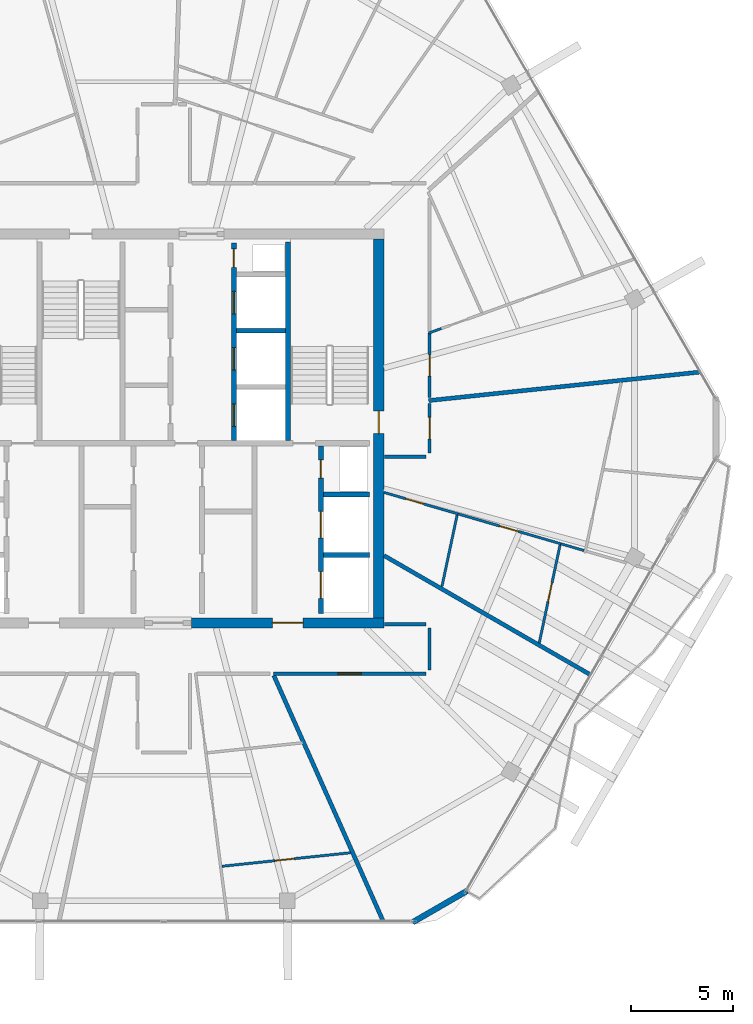
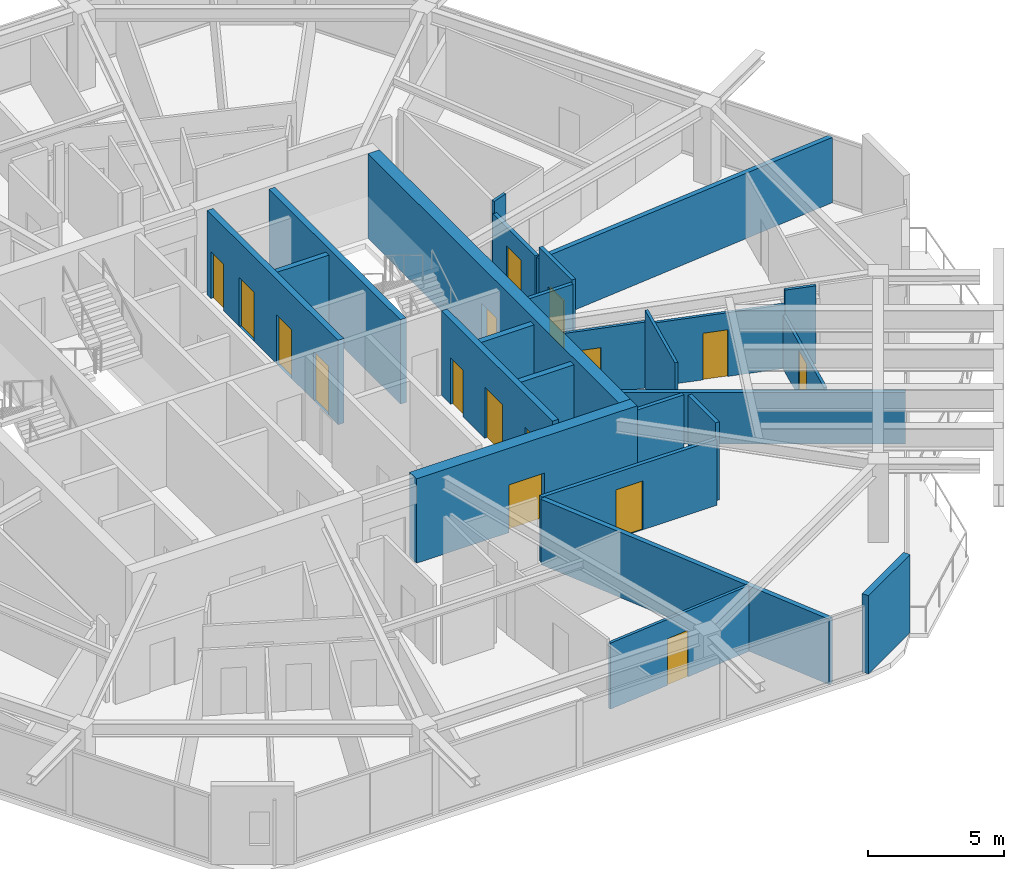
# One storey, part 17 of 23: 25 walls, 16 doors, 16 openings.
"""IFC4 building model written with IfcOpenShell, lengths in metres."""

from ifc_helpers import new_model, si_unit, direction, frame, frame_2d, origin, place, context, subcontext, project, spatial, rectangle, extrude, material, layer, layer_set, type_object, element, fill, save


model = new_model("IFC4")

# Units and contexts
model_context = context("Model", 3, precision=1e-05, world=origin(), true_north=direction((0.0, 1.0)))
body_context = subcontext(model_context, "Body", "Model", "MODEL_VIEW")
ifc_project = project(units=[si_unit("LENGTHUNIT", "METRE"), si_unit("AREAUNIT", "SQUARE_METRE"), si_unit("VOLUMEUNIT", "CUBIC_METRE"), si_unit("PLANEANGLEUNIT", "RADIAN"), si_unit("MASSUNIT", "GRAM", prefix="KILO")], contexts=[model_context])

# Site, building, storey
site_placement = place(None, origin())
site = spatial("IfcSite", under=ifc_project, at=site_placement, CompositionType="ELEMENT")
building_placement = place(site_placement, origin())
building = spatial("IfcBuilding", under=site, at=building_placement, Name="Zuhravey Tower", CompositionType="ELEMENT")
storey_placement = place(building_placement, frame((0.0, 0.0, 350.0)))
storey = spatial("IfcBuildingStorey", under=building, at=storey_placement, Name="L89", CompositionType="ELEMENT", Elevation=350.0)

# Wall, opening, door
ifc_material_1 = material(Name="Concrete C50/60", Category="concrete")
ifc_layer_1 = layer(ifc_material_1, 0.5)
ifc_layer_set_1 = layer_set([ifc_layer_1], Name="Concrete C50/60")
wall_type_1 = type_object("IfcWallType", Name="Core Shear Wall 500", PredefinedType="SHEAR", material=ifc_layer_set_1)
wall_1_placement = place(storey_placement, frame((37.35009765625, 22.5, 0.0), z_axis=(0.0, 0.0, 1.0), x_axis=(1.0, 0.0, 0.0)))
wall_1 = element("IfcWall", 1, at=wall_1_placement, inside=storey, type_object=wall_type_1, Name="L89 South-East Core Shear Wall CW50", PredefinedType="SHEAR", context=body_context, shape_type="SweptSolid", body=[
    extrude(rectangle(XDim=9.39990234375, YDim=0.5, at=frame_2d((4.699951171875, 0.0))), origin(), (0.0, 0.0, 1.0), 3.800048828125),
])
opening_1_placement = place(wall_1_placement, frame((3.949951171875, 0.0, 0.0)))
opening_1 = element("IfcOpeningElement", 2, at=opening_1_placement, cuts=wall_1, Name="Opening FFD1", PredefinedType="OPENING", context=body_context, shape_type="SweptSolid", body=[
    extrude(rectangle(XDim=1.5, YDim=2.14990234375, at=frame_2d((0.75, 1.074951171875))), frame((0.0, 0.261962890625, 0.0), z_axis=(0.0, -1.0, 0.0), x_axis=(1.0, 0.0, 0.0)), (0.0, 0.0, 1.0), 0.52392578125),
])
ifc_material_2 = material(Name="Galvanised fire-rated steel leaf", Category="steel")
door_type_1 = type_object("IfcDoorType", Name="Firefighting Lobby Double Door 1500x2150", OperationType="DOUBLE_DOOR_SINGLE_SWING", PredefinedType="DOOR", material=ifc_material_2)
door_1_placement = place(opening_1_placement, origin())
door_1 = element("IfcDoor", 3, at=door_1_placement, inside=storey, type_object=door_type_1, Name="L89 Firefighting Lobby East Door", OperationType="DOUBLE_DOOR_SINGLE_SWING", OverallHeight=2.14990234375, OverallWidth=1.5, PredefinedType="DOOR", context=body_context, shape_type="SweptSolid", body=[
    extrude(rectangle(XDim=1.5, YDim=2.14990234375, at=frame_2d((0.75, 1.074951171875))), frame((0.0, 0.02490234375, 0.0), z_axis=(0.0, -1.0, 0.0), x_axis=(1.0, 0.0, 0.0)), (0.0, 0.0, 1.0), 0.050048828125),
])
fill(opening_1, door_1)

wall_2_placement = place(storey_placement, frame((46.5, 22.75, 0.0), z_axis=(0.0, 0.0, 1.0), x_axis=(0.0, 1.0, 0.0)))
wall_2 = element("IfcWall", 4, at=wall_2_placement, inside=storey, type_object=wall_type_1, Name="L89 East Core Shear Wall CW50", PredefinedType="SHEAR", context=body_context, shape_type="SweptSolid", body=[
    extrude(rectangle(XDim=18.5, YDim=0.5, at=frame_2d((9.25, 0.0))), origin(), (0.0, 0.0, 1.0), 3.800048828125),
])
opening_2_placement = place(wall_2_placement, frame((9.0, 0.0, 0.0)))
opening_2 = element("IfcOpeningElement", 5, at=opening_2_placement, cuts=wall_2, Name="Opening STD1", PredefinedType="OPENING", context=body_context, shape_type="SweptSolid", body=[
    extrude(rectangle(XDim=1.10009765625, YDim=2.14990234375, at=frame_2d((0.550048828125, 1.074951171875))), frame((0.0, 0.261962890625, 0.0), z_axis=(0.0, -1.0, 0.0), x_axis=(1.0, 0.0, 0.0)), (0.0, 0.0, 1.0), 0.52392578125),
])
door_type_2 = type_object("IfcDoorType", Name="Protected Stair Fire Door 1100x2150", OperationType="NOTDEFINED", PredefinedType="USERDEFINED", material=ifc_material_2)
door_2_placement = place(opening_2_placement, origin())
door_2 = element("IfcDoor", 6, at=door_2_placement, inside=storey, type_object=door_type_2, Name="L89 Stair ST2 Door", ObjectType="EXITDOOR", OperationType="SINGLE_SWING_LEFT", OverallHeight=2.14990234375, OverallWidth=1.10009765625, PredefinedType="USERDEFINED", context=body_context, shape_type="SweptSolid", body=[
    extrude(rectangle(XDim=1.10009765625, YDim=2.14990234375, at=frame_2d((0.550048828125, 1.074951171875))), frame((0.0, 0.02490234375, 0.0), z_axis=(0.0, -1.0, 0.0), x_axis=(1.0, 0.0, 0.0)), (0.0, 0.0, 1.0), 0.050048828125),
])
fill(opening_2, door_2)

ifc_material_3 = material(Name="Gypsum fire-rated stud partition")
ifc_layer_2 = layer(ifc_material_3, 0.159912109375)
ifc_layer_set_2 = layer_set([ifc_layer_2], Name="Gypsum fire-rated stud partition")
wall_type_2 = type_object("IfcWallType", Name="Corridor Fire Partition 160", PredefinedType="PARTITIONING", material=ifc_layer_set_2)
wall_3_placement = place(storey_placement, frame((41.355712890625, 20.02001953125, 0.0), z_axis=(0.0, 0.0, 1.0), x_axis=(1.0, 0.0, 0.0)))
wall_3 = element("IfcWall", 7, at=wall_3_placement, inside=storey, type_object=wall_type_2, Name="L89 IW16 Partition 041", PredefinedType="PARTITIONING", context=body_context, shape_type="SweptSolid", body=[
    extrude(rectangle(XDim=7.4443359375, YDim=0.159912109375, at=frame_2d((3.72216796875, 0.0))), origin(), (0.0, 0.0, 1.0), 2.969970703125),
])
opening_3_placement = place(wall_3_placement, frame((3.147216796875, 0.0, 0.0)))
opening_3 = element("IfcOpeningElement", 8, at=opening_3_placement, cuts=wall_3, Name="Opening CLD1", PredefinedType="OPENING", context=body_context, shape_type="SweptSolid", body=[
    extrude(rectangle(XDim=1.14990234375, YDim=2.199951171875, at=frame_2d((0.574951171875, 1.10009765625))), frame((0.0, 0.092041015625, 0.0), z_axis=(0.0, -1.0, 0.0), x_axis=(1.0, 0.0, 0.0)), (0.0, 0.0, 1.0), 0.183837890625),
])
ifc_material_4 = material(Name="Acoustic timber leaf with vision lite", Category="wood")
door_type_3 = type_object("IfcDoorType", Name="Classroom Acoustic Door 1150x2200", OperationType="NOTDEFINED", PredefinedType="DOOR", material=ifc_material_4)
door_3_placement = place(opening_3_placement, frame((1.14990234375, 0.0, 0.0), z_axis=(0.0, 0.0, 1.0), x_axis=(-1.0, 0.0, 0.0)))
door_3 = element("IfcDoor", 9, at=door_3_placement, inside=storey, type_object=door_type_3, Name="L89 Door 041.1", OperationType="SINGLE_SWING_LEFT", OverallHeight=2.199951171875, OverallWidth=1.14990234375, PredefinedType="DOOR", context=body_context, shape_type="SweptSolid", body=[
    extrude(rectangle(XDim=1.14990234375, YDim=2.199951171875, at=frame_2d((0.574951171875, 1.10009765625))), frame((0.0, 0.02490234375, 0.0), z_axis=(0.0, -1.0, 0.0), x_axis=(1.0, 0.0, 0.0)), (0.0, 0.0, 1.0), 0.050048828125),
])
fill(opening_3, door_3)

wall_4_placement = place(storey_placement, frame((48.97998046875, 30.800048828125, 0.0), z_axis=(0.0, 0.0, 1.0), x_axis=(0.0, 1.0, 0.0)))
wall_4 = element("IfcWall", 10, at=wall_4_placement, inside=storey, type_object=wall_type_2, Name="L89 IW16 Partition 046", PredefinedType="PARTITIONING", context=body_context, shape_type="SweptSolid", body=[
    extrude(rectangle(XDim=2.4296875, YDim=0.159912109375, at=frame_2d((1.21484375, 0.0))), origin(), (0.0, 0.0, 1.0), 3.52001953125),
])
opening_4_placement = place(wall_4_placement, frame((0.68994140625, 0.0, 0.0)))
opening_4 = element("IfcOpeningElement", 11, at=opening_4_placement, cuts=wall_4, Name="Opening APD1", PredefinedType="OPENING", context=body_context, shape_type="SweptSolid", body=[
    extrude(rectangle(XDim=1.050048828125, YDim=2.14990234375, at=frame_2d((0.52490234375, 1.074951171875))), frame((0.0, 0.092041015625, 0.0), z_axis=(0.0, -1.0, 0.0), x_axis=(1.0, 0.0, 0.0)), (0.0, 0.0, 1.0), 0.183837890625),
])
ifc_material_5 = material(Name="Solid-core oak fire-rated leaf")
door_type_4 = type_object("IfcDoorType", Name="Apartment Entrance Fire Door 1050x2150", OperationType="NOTDEFINED", PredefinedType="DOOR", material=ifc_material_5)
door_4_placement = place(opening_4_placement, frame((1.050048828125, 0.0, 0.0), z_axis=(0.0, 0.0, 1.0), x_axis=(-1.0, 0.0, 0.0)))
door_4 = element("IfcDoor", 12, at=door_4_placement, inside=storey, type_object=door_type_4, Name="L89 Door 046.1", OperationType="SINGLE_SWING_LEFT", OverallHeight=2.14990234375, OverallWidth=1.050048828125, PredefinedType="DOOR", context=body_context, shape_type="SweptSolid", body=[
    extrude(rectangle(XDim=1.050048828125, YDim=2.14990234375, at=frame_2d((0.52490234375, 1.074951171875))), frame((0.0, 0.02490234375, 0.0), z_axis=(0.0, -1.0, 0.0), x_axis=(1.0, 0.0, 0.0)), (0.0, 0.0, 1.0), 0.050048828125),
])
fill(opening_4, door_4)

wall_5_placement = place(storey_placement, frame((48.97998046875, 33.4990234375, 0.0), z_axis=(0.0, 0.0, 1.0), x_axis=(0.0, 1.0, 0.0)))
wall_5 = element("IfcWall", 13, at=wall_5_placement, inside=storey, type_object=wall_type_2, Name="L89 IW16 Partition 050", PredefinedType="PARTITIONING", context=body_context, shape_type="SweptSolid", body=[
    extrude(rectangle(XDim=3.15283203125, YDim=0.159912109375, at=frame_2d((1.576416015625, 0.0))), origin(), (0.0, 0.0, 1.0), 2.969970703125),
])
opening_5_placement = place(wall_5_placement, frame((1.051513671875, 0.0, 0.0)))
opening_5 = element("IfcOpeningElement", 14, at=opening_5_placement, cuts=wall_5, Name="Opening APD1", PredefinedType="OPENING", context=body_context, shape_type="SweptSolid", body=[
    extrude(rectangle(XDim=1.050048828125, YDim=2.14990234375, at=frame_2d((0.52490234375, 1.074951171875))), frame((0.0, 0.092041015625, 0.0), z_axis=(0.0, -1.0, 0.0), x_axis=(1.0, 0.0, 0.0)), (0.0, 0.0, 1.0), 0.183837890625),
])
door_5_placement = place(opening_5_placement, frame((1.050048828125, 0.0, 0.0), z_axis=(0.0, 0.0, 1.0), x_axis=(-1.0, 0.0, 0.0)))
door_5 = element("IfcDoor", 15, at=door_5_placement, inside=storey, type_object=door_type_4, Name="L89 Door 050.1", OperationType="SINGLE_SWING_LEFT", OverallHeight=2.14990234375, OverallWidth=1.050048828125, PredefinedType="DOOR", context=body_context, shape_type="SweptSolid", body=[
    extrude(rectangle(XDim=1.050048828125, YDim=2.14990234375, at=frame_2d((0.52490234375, 1.074951171875))), frame((0.0, 0.02490234375, 0.0), z_axis=(0.0, -1.0, 0.0), x_axis=(1.0, 0.0, 0.0)), (0.0, 0.0, 1.0), 0.050048828125),
])
fill(opening_5, door_5)

# Walls
wall_6_placement = place(storey_placement, frame((48.97998046875, 20.199951171875, 0.0), z_axis=(0.0, 0.0, 1.0), x_axis=(0.0, 1.0, 0.0)))
element("IfcWall", 16, at=wall_6_placement, inside=storey, type_object=wall_type_2, Name="L89 IW16 Partition 123", PredefinedType="PARTITIONING", context=body_context, shape_type="SweptSolid", body=[
    extrude(rectangle(XDim=2.050048828125, YDim=0.159912109375, at=frame_2d((1.02490234375, 0.0))), origin(), (0.0, 0.0, 1.0), 3.52001953125),
])
for number, where, z_axis, x_axis, name in (
    (17, (48.800048828125, 22.429931640625, 0.0), (0.0, 0.0, 1.0), (-1.0, 0.0, 0.0), "L89 IW16 Partition 124"),
    (18, (46.77001953125, 30.6201171875, 0.0), (0.0, 0.0, 1.0), (1.0, 0.0, 0.0), "L89 IW16 Partition 125"),
):
    element("IfcWall", number, at=place(storey_placement, frame(where, z_axis=z_axis, x_axis=x_axis)), inside=storey, type_object=wall_type_2, Name=name, PredefinedType="PARTITIONING", context=body_context, shape_type="SweptSolid", body=[
        extrude(rectangle(XDim=2.030029296875, YDim=0.159912109375, at=frame_2d((1.01513671875, 0.0))), origin(), (0.0, 0.0, 1.0), 3.52001953125),
    ])
ifc_material_6 = material(Name="Precast concrete C40/50", Category="concrete")
ifc_layer_3 = layer(ifc_material_6, 0.280029296875)
ifc_layer_set_3 = layer_set([ifc_layer_3], Name="Precast concrete C40/50")
wall_type_3 = type_object("IfcWallType", Name="Crown Architectural Wall 280", PredefinedType="SOLIDWALL", material=ifc_layer_set_3)
wall_7_placement = place(storey_placement, frame((50.811279296875, 9.410888671875, 0.0), z_axis=(0.0, 0.0, 1.0), x_axis=(-0.866023752521, -0.50000286006, 0.0)))
element("IfcWall", 19, at=wall_7_placement, inside=storey, type_object=wall_type_3, Name="L89 Rounded Corner Closure Wall EW28-02", PredefinedType="SOLIDWALL", context=body_context, shape_type="SweptSolid", body=[
    extrude(rectangle(XDim=3.06494140625, YDim=0.280029296875, at=frame_2d((1.532470703125, 0.0))), origin(), (0.0, 0.0, 1.0), 3.52001953125),
])
ifc_layer_4 = layer(ifc_material_1, 0.25)
ifc_layer_set_4 = layer_set([ifc_layer_4], Name="Concrete C50/60")
wall_type_4 = type_object("IfcWallType", Name="Firefighting Shaft & Stair Wall 250", PredefinedType="SOLIDWALL", material=ifc_layer_set_4)
wall_8_placement = place(storey_placement, frame((42.074951171875, 31.39990234375, 0.0), z_axis=(0.0, 0.0, 1.0), x_axis=(0.0, 1.0, 0.0)))
element("IfcWall", 20, at=wall_8_placement, inside=storey, type_object=wall_type_4, Name="L89 FW25 Shaft Wall 006", PredefinedType="SOLIDWALL", context=body_context, shape_type="SweptSolid", body=[
    extrude(rectangle(XDim=9.7001953125, YDim=0.25, at=frame_2d((4.85009765625, 0.0))), origin(), (0.0, 0.0, 1.0), 3.800048828125),
])

# Wall, openings, doors
wall_9_placement = place(storey_placement, frame((39.425048828125, 31.39990234375, 0.0), z_axis=(0.0, 0.0, 1.0), x_axis=(0.0, 1.0, 0.0)))
wall_9 = element("IfcWall", 21, at=wall_9_placement, inside=storey, type_object=wall_type_4, Name="L89 FW25 Shaft Wall 008", PredefinedType="SOLIDWALL", context=body_context, shape_type="SweptSolid", body=[
    extrude(rectangle(XDim=9.650146484375, YDim=0.25, at=frame_2d((4.8251953125, 0.0))), origin(), (0.0, 0.0, 1.0), 3.800048828125),
])
opening_6_placement = place(wall_9_placement, frame((0.699951171875, 0.0, 0.0)))
opening_6 = element("IfcOpeningElement", 22, at=opening_6_placement, cuts=wall_9, Name="Opening LD1", PredefinedType="OPENING", context=body_context, shape_type="SweptSolid", body=[
    extrude(rectangle(XDim=1.10009765625, YDim=2.199951171875, at=frame_2d((0.550048828125, 1.10009765625))), frame((0.0, 0.136962890625, 0.0), z_axis=(0.0, -1.0, 0.0), x_axis=(1.0, 0.0, 0.0)), (0.0, 0.0, 1.0), 0.27392578125),
])
opening_7_placement = place(wall_9_placement, frame((3.449951171875, 0.0, 0.0)))
opening_7 = element("IfcOpeningElement", 23, at=opening_7_placement, cuts=wall_9, Name="Opening LD1", PredefinedType="OPENING", context=body_context, shape_type="SweptSolid", body=[
    extrude(rectangle(XDim=1.10009765625, YDim=2.199951171875, at=frame_2d((0.550048828125, 1.10009765625))), frame((0.0, 0.136962890625, 0.0), z_axis=(0.0, -1.0, 0.0), x_axis=(1.0, 0.0, 0.0)), (0.0, 0.0, 1.0), 0.27392578125),
])
opening_8_placement = place(wall_9_placement, frame((6.199951171875, 0.0, 0.0)))
opening_8 = element("IfcOpeningElement", 24, at=opening_8_placement, cuts=wall_9, Name="Opening LD1", PredefinedType="OPENING", context=body_context, shape_type="SweptSolid", body=[
    extrude(rectangle(XDim=1.10009765625, YDim=2.199951171875, at=frame_2d((0.550048828125, 1.10009765625))), frame((0.0, 0.136962890625, 0.0), z_axis=(0.0, -1.0, 0.0), x_axis=(1.0, 0.0, 0.0)), (0.0, 0.0, 1.0), 0.27392578125),
])
opening_9_placement = place(wall_9_placement, frame((8.469970703125, 0.0, 0.0)))
opening_9 = element("IfcOpeningElement", 25, at=opening_9_placement, cuts=wall_9, Name="Opening RSD1", PredefinedType="OPENING", context=body_context, shape_type="SweptSolid", body=[
    extrude(rectangle(XDim=0.89990234375, YDim=2.10009765625, at=frame_2d((0.449951171875, 1.050048828125))), frame((0.0, 0.136962890625, 0.0), z_axis=(0.0, -1.0, 0.0), x_axis=(1.0, 0.0, 0.0)), (0.0, 0.0, 1.0), 0.27392578125),
])
ifc_material_7 = material(Name="Brushed stainless steel", Category="steel")
door_type_5 = type_object("IfcDoorType", Name="Lift Landing Sliding Door 1100x2200", OperationType="DOUBLE_DOOR_SLIDING", PredefinedType="DOOR", material=ifc_material_7)
door_6_placement = place(opening_6_placement, origin())
door_6 = element("IfcDoor", 26, at=door_6_placement, inside=storey, type_object=door_type_5, Name="L89 Lift PL7 Landing Door", OperationType="DOUBLE_DOOR_SLIDING", OverallHeight=2.199951171875, OverallWidth=1.10009765625, PredefinedType="DOOR", context=body_context, shape_type="SweptSolid", body=[
    extrude(rectangle(XDim=1.10009765625, YDim=2.199951171875, at=frame_2d((0.550048828125, 1.10009765625))), frame((0.0, 0.02490234375, 0.0), z_axis=(0.0, -1.0, 0.0), x_axis=(1.0, 0.0, 0.0)), (0.0, 0.0, 1.0), 0.050048828125),
])
fill(opening_6, door_6)
door_7_placement = place(opening_7_placement, origin())
door_7 = element("IfcDoor", 27, at=door_7_placement, inside=storey, type_object=door_type_5, Name="L89 Lift PL8 Landing Door", OperationType="DOUBLE_DOOR_SLIDING", OverallHeight=2.199951171875, OverallWidth=1.10009765625, PredefinedType="DOOR", context=body_context, shape_type="SweptSolid", body=[
    extrude(rectangle(XDim=1.10009765625, YDim=2.199951171875, at=frame_2d((0.550048828125, 1.10009765625))), frame((0.0, 0.02490234375, 0.0), z_axis=(0.0, -1.0, 0.0), x_axis=(1.0, 0.0, 0.0)), (0.0, 0.0, 1.0), 0.050048828125),
])
fill(opening_7, door_7)
door_8_placement = place(opening_8_placement, origin())
door_8 = element("IfcDoor", 28, at=door_8_placement, inside=storey, type_object=door_type_5, Name="L89 Lift PL9 Landing Door", OperationType="DOUBLE_DOOR_SLIDING", OverallHeight=2.199951171875, OverallWidth=1.10009765625, PredefinedType="DOOR", context=body_context, shape_type="SweptSolid", body=[
    extrude(rectangle(XDim=1.10009765625, YDim=2.199951171875, at=frame_2d((0.550048828125, 1.10009765625))), frame((0.0, 0.02490234375, 0.0), z_axis=(0.0, -1.0, 0.0), x_axis=(1.0, 0.0, 0.0)), (0.0, 0.0, 1.0), 0.050048828125),
])
fill(opening_8, door_8)
ifc_material_8 = material(Name="Galvanised fire-rated steel access leaf", Category="steel")
door_type_6 = type_object("IfcDoorType", Name="Riser & Shaft Access Fire Door 900x2100", OperationType="NOTDEFINED", PredefinedType="DOOR", material=ifc_material_8)
door_9_placement = place(opening_9_placement, origin())
door_9 = element("IfcDoor", 29, at=door_9_placement, inside=storey, type_object=door_type_6, Name="L89 North Riser Door", OperationType="SINGLE_SWING_LEFT", OverallHeight=2.10009765625, OverallWidth=0.89990234375, PredefinedType="DOOR", context=body_context, shape_type="SweptSolid", body=[
    extrude(rectangle(XDim=0.89990234375, YDim=2.10009765625, at=frame_2d((0.449951171875, 1.050048828125))), frame((0.0, 0.02490234375, 0.0), z_axis=(0.0, -1.0, 0.0), x_axis=(1.0, 0.0, 0.0)), (0.0, 0.0, 1.0), 0.050048828125),
])
fill(opening_9, door_9)

# Walls
for number, where, z_axis, x_axis, name in (
    (30, (43.800048828125, 25.824951171875, 0.0), (0.0, 0.0, 1.0), (1.0, 0.0, 0.0), "L89 FW25 Shaft Wall 017"),
    (31, (43.800048828125, 28.77490234375, 0.0), (0.0, 0.0, 1.0), (1.0, 0.0, 0.0), "L89 FW25 Shaft Wall 018"),
):
    element("IfcWall", number, at=place(storey_placement, frame(where, z_axis=z_axis, x_axis=x_axis)), inside=storey, type_object=wall_type_4, Name=name, PredefinedType="SOLIDWALL", context=body_context, shape_type="SweptSolid", body=[
        extrude(rectangle(XDim=2.25, YDim=0.25, at=frame_2d((1.125, 0.0))), origin(), (0.0, 0.0, 1.0), 3.800048828125),
    ])

# Wall, openings, doors
wall_10_placement = place(storey_placement, frame((43.675048828125, 22.949951171875, 0.0), z_axis=(0.0, 0.0, 1.0), x_axis=(0.0, 1.0, 0.0)))
wall_10 = element("IfcWall", 32, at=wall_10_placement, inside=storey, type_object=wall_type_4, Name="L89 FW25 Shaft Wall 019", PredefinedType="SOLIDWALL", context=body_context, shape_type="SweptSolid", body=[
    extrude(rectangle(XDim=8.199951171875, YDim=0.25, at=frame_2d((4.10009765625, 0.0))), origin(), (0.0, 0.0, 1.0), 3.800048828125),
])
opening_10_placement = place(wall_10_placement, frame((0.75, 0.0, 0.0)))
opening_10 = element("IfcOpeningElement", 33, at=opening_10_placement, cuts=wall_10, Name="Opening LD2", PredefinedType="OPENING", context=body_context, shape_type="SweptSolid", body=[
    extrude(rectangle(XDim=1.300048828125, YDim=2.300048828125, at=frame_2d((0.64990234375, 1.14990234375))), frame((0.0, 0.136962890625, 0.0), z_axis=(0.0, -1.0, 0.0), x_axis=(1.0, 0.0, 0.0)), (0.0, 0.0, 1.0), 0.27392578125),
])
opening_11_placement = place(wall_10_placement, frame((3.699951171875, 0.0, 0.0)))
opening_11 = element("IfcOpeningElement", 34, at=opening_11_placement, cuts=wall_10, Name="Opening LD2", PredefinedType="OPENING", context=body_context, shape_type="SweptSolid", body=[
    extrude(rectangle(XDim=1.300048828125, YDim=2.300048828125, at=frame_2d((0.64990234375, 1.14990234375))), frame((0.0, 0.136962890625, 0.0), z_axis=(0.0, -1.0, 0.0), x_axis=(1.0, 0.0, 0.0)), (0.0, 0.0, 1.0), 0.27392578125),
])
opening_12_placement = place(wall_10_placement, frame((6.6201171875, 0.0, 0.0)))
opening_12 = element("IfcOpeningElement", 35, at=opening_12_placement, cuts=wall_10, Name="Opening RSD1", PredefinedType="OPENING", context=body_context, shape_type="SweptSolid", body=[
    extrude(rectangle(XDim=0.89990234375, YDim=2.10009765625, at=frame_2d((0.449951171875, 1.050048828125))), frame((0.0, 0.136962890625, 0.0), z_axis=(0.0, -1.0, 0.0), x_axis=(1.0, 0.0, 0.0)), (0.0, 0.0, 1.0), 0.27392578125),
])
door_type_7 = type_object("IfcDoorType", Name="Freight & Stretcher Lift Sliding Door 1300x2300", OperationType="DOUBLE_DOOR_SLIDING", PredefinedType="DOOR", material=ifc_material_7)
door_10_placement = place(opening_10_placement, origin())
door_10 = element("IfcDoor", 36, at=door_10_placement, inside=storey, type_object=door_type_7, Name="L89 Lift FF2 Landing Door", OperationType="DOUBLE_DOOR_SLIDING", OverallHeight=2.300048828125, OverallWidth=1.300048828125, PredefinedType="DOOR", context=body_context, shape_type="SweptSolid", body=[
    extrude(rectangle(XDim=1.300048828125, YDim=2.300048828125, at=frame_2d((0.64990234375, 1.14990234375))), frame((0.0, 0.02490234375, 0.0), z_axis=(0.0, -1.0, 0.0), x_axis=(1.0, 0.0, 0.0)), (0.0, 0.0, 1.0), 0.050048828125),
])
fill(opening_10, door_10)
door_11_placement = place(opening_11_placement, origin())
door_11 = element("IfcDoor", 37, at=door_11_placement, inside=storey, type_object=door_type_7, Name="L89 Lift SV1 Landing Door", OperationType="DOUBLE_DOOR_SLIDING", OverallHeight=2.300048828125, OverallWidth=1.300048828125, PredefinedType="DOOR", context=body_context, shape_type="SweptSolid", body=[
    extrude(rectangle(XDim=1.300048828125, YDim=2.300048828125, at=frame_2d((0.64990234375, 1.14990234375))), frame((0.0, 0.02490234375, 0.0), z_axis=(0.0, -1.0, 0.0), x_axis=(1.0, 0.0, 0.0)), (0.0, 0.0, 1.0), 0.050048828125),
])
fill(opening_11, door_11)
door_12_placement = place(opening_12_placement, origin())
door_12 = element("IfcDoor", 38, at=door_12_placement, inside=storey, type_object=door_type_6, Name="L89 Plumbing Riser Door", OperationType="SINGLE_SWING_RIGHT", OverallHeight=2.10009765625, OverallWidth=0.89990234375, PredefinedType="DOOR", context=body_context, shape_type="SweptSolid", body=[
    extrude(rectangle(XDim=0.89990234375, YDim=2.10009765625, at=frame_2d((0.449951171875, 1.050048828125))), frame((0.0, 0.02490234375, 0.0), z_axis=(0.0, -1.0, 0.0), x_axis=(1.0, 0.0, 0.0)), (0.0, 0.0, 1.0), 0.050048828125),
])
fill(opening_12, door_12)

# Walls
ifc_material_9 = material(Name="Gypsum double-stud party assembly")
ifc_layer_5 = layer(ifc_material_9, 0.199951171875)
ifc_layer_set_5 = layer_set([ifc_layer_5], Name="Gypsum double-stud party assembly")
wall_type_5 = type_object("IfcWallType", Name="Inter-Tenancy Party Wall 200", PredefinedType="PARTITIONING", material=ifc_layer_set_5)
wall_11_placement = place(storey_placement, frame((41.373046875, 19.931884765625, 0.0), z_axis=(0.0, 0.0, 1.0), x_axis=(0.406736471648, -0.913545533967, 0.0)))
element("IfcWall", 39, at=wall_11_placement, inside=storey, type_object=wall_type_5, Name="L89 IW20 Partition 090", PredefinedType="PARTITIONING", context=body_context, shape_type="SweptSolid", body=[
    extrude(rectangle(XDim=13.142333984375, YDim=0.199951171875, at=frame_2d((6.5712890625, 0.0))), origin(), (0.0, 0.0, 1.0), 2.93994140625),
])
wall_12_placement = place(storey_placement, frame((46.758056640625, 25.788818359375, 0.0), z_axis=(0.0, 0.0, 1.0), x_axis=(0.866025778731, -0.499999350573, 0.0)))
element("IfcWall", 40, at=wall_12_placement, inside=storey, type_object=wall_type_5, Name="L89 IW20 Partition 091", PredefinedType="PARTITIONING", context=body_context, shape_type="SweptSolid", body=[
    extrude(rectangle(XDim=11.65185546875, YDim=0.199951171875, at=frame_2d((5.825927734375, 0.0))), origin(), (0.0, 0.0, 1.0), 2.320068359375),
])
wall_13_placement = place(storey_placement, frame((48.93994140625, 33.360107421875, 0.0), z_axis=(0.0, 0.0, 1.0), x_axis=(0.994521885418, 0.104528557935, 0.0)))
element("IfcWall", 41, at=wall_13_placement, inside=storey, type_object=wall_type_5, Name="L89 IW20 Partition 097", PredefinedType="PARTITIONING", context=body_context, shape_type="SweptSolid", body=[
    extrude(rectangle(XDim=13.341064453125, YDim=0.199951171875, at=frame_2d((6.67041015625, 0.0))), origin(), (0.0, 0.0, 1.0), 2.93994140625),
])
ifc_material_10 = material(Name="Gypsum acoustic stud assembly")
ifc_layer_6 = layer(ifc_material_10, 0.219970703125)
ifc_layer_set_6 = layer_set([ifc_layer_6], Name="Gypsum acoustic stud assembly")
wall_type_6 = type_object("IfcWallType", Name="School Acoustic Compartment Wall 220", PredefinedType="PARTITIONING", material=ifc_layer_set_6)
wall_14_placement = place(storey_placement, frame((39.55810546875, 36.77490234375, 0.0), z_axis=(0.0, 0.0, 1.0), x_axis=(1.0, 0.0, 0.0)))
element("IfcWall", 42, at=wall_14_placement, inside=storey, type_object=wall_type_6, Name="L89 IW22 Partition 054", PredefinedType="PARTITIONING", context=body_context, shape_type="SweptSolid", body=[
    extrude(rectangle(XDim=2.3837890625, YDim=0.219970703125, at=frame_2d((1.19189453125, 0.0))), origin(), (0.0, 0.0, 1.0), 3.52001953125),
])

# Wall, opening, door
ifc_material_11 = material(Name="Gypsum metal-stud partition")
ifc_layer_7 = layer(ifc_material_11, 0.1201171875)
ifc_layer_set_7 = layer_set([ifc_layer_7], Name="Gypsum metal-stud partition")
wall_type_7 = type_object("IfcWallType", Name="Unit Internal Partition 120", PredefinedType="PARTITIONING", material=ifc_layer_set_7)
wall_15_placement = place(storey_placement, frame((38.84619140625, 10.6142578125, 0.0), z_axis=(0.0, 0.0, 1.0), x_axis=(0.994523460233, 0.1045135735, 0.0)))
wall_15 = element("IfcWall", 43, at=wall_15_placement, inside=storey, type_object=wall_type_7, Name="L89 IW12 Partition 039", PredefinedType="PARTITIONING", context=body_context, shape_type="SweptSolid", body=[
    extrude(rectangle(XDim=6.3095703125, YDim=0.1201171875, at=frame_2d((3.15478515625, 0.0))), origin(), (0.0, 0.0, 1.0), 2.969970703125),
])
opening_13_placement = place(wall_15_placement, frame((2.595703125, 0.0, 0.0)))
opening_13 = element("IfcOpeningElement", 44, at=opening_13_placement, cuts=wall_15, Name="Opening IND1", PredefinedType="OPENING", context=body_context, shape_type="SweptSolid", body=[
    extrude(rectangle(XDim=0.949951171875, YDim=2.10009765625, at=frame_2d((0.47509765625, 1.050048828125))), frame((0.0, 0.072021484375, 0.0), z_axis=(0.0, -1.0, 0.0), x_axis=(1.0, 0.0, 0.0)), (0.0, 0.0, 1.0), 0.14404296875),
])
ifc_material_12 = material(Name="Painted engineered timber leaf", Category="wood")
door_type_8 = type_object("IfcDoorType", Name="Internal Room & Bedroom Door 950x2100", OperationType="NOTDEFINED", PredefinedType="DOOR", material=ifc_material_12)
door_13_placement = place(opening_13_placement, frame((0.949951171875, 0.0, 0.0), z_axis=(0.0, 0.0, 1.0), x_axis=(-1.0, 0.0, 0.0)))
door_13 = element("IfcDoor", 45, at=door_13_placement, inside=storey, type_object=door_type_8, Name="Apartment L89-06 Bedroom 1 Door", OperationType="SINGLE_SWING_LEFT", OverallHeight=2.10009765625, OverallWidth=0.949951171875, PredefinedType="DOOR", context=body_context, shape_type="SweptSolid", body=[
    extrude(rectangle(XDim=0.949951171875, YDim=2.10009765625, at=frame_2d((0.47509765625, 1.050048828125))), frame((0.0, 0.02490234375, 0.0), z_axis=(0.0, -1.0, 0.0), x_axis=(1.0, 0.0, 0.0)), (0.0, 0.0, 1.0), 0.050048828125),
])
fill(opening_13, door_13)

wall_16_placement = place(storey_placement, frame((46.758056640625, 28.87451171875, 0.0), z_axis=(0.0, 0.0, 1.0), x_axis=(0.960290635707, -0.279001603891, 0.0)))
wall_16 = element("IfcWall", 46, at=wall_16_placement, inside=storey, type_object=wall_type_7, Name="L89 IW12 Partition 043", PredefinedType="PARTITIONING", context=body_context, shape_type="SweptSolid", body=[
    extrude(rectangle(XDim=3.756591796875, YDim=0.1201171875, at=frame_2d((1.87841796875, 0.0))), origin(), (0.0, 0.0, 1.0), 2.969970703125),
])
opening_14_placement = place(wall_16_placement, frame((1.1083984375, 0.0, 0.0)))
opening_14 = element("IfcOpeningElement", 47, at=opening_14_placement, cuts=wall_16, Name="Opening WCD1", PredefinedType="OPENING", context=body_context, shape_type="SweptSolid", body=[
    extrude(rectangle(XDim=0.89990234375, YDim=2.10009765625, at=frame_2d((0.449951171875, 1.050048828125))), frame((0.0, 0.072021484375, 0.0), z_axis=(0.0, -1.0, 0.0), x_axis=(1.0, 0.0, 0.0)), (0.0, 0.0, 1.0), 0.14404296875),
])
ifc_material_13 = material(Name="Moisture-resistant timber leaf", Category="wood")
door_type_9 = type_object("IfcDoorType", Name="Bathroom & WC Internal Door 900x2100", OperationType="NOTDEFINED", PredefinedType="DOOR", material=ifc_material_13)
door_14_placement = place(opening_14_placement, frame((0.89990234375, 0.0, 0.0), z_axis=(0.0, 0.0, 1.0), x_axis=(-1.0, 0.0, 0.0)))
door_14 = element("IfcDoor", 48, at=door_14_placement, inside=storey, type_object=door_type_9, Name="Apartment L89-08 Bathroom Door", OperationType="SINGLE_SWING_RIGHT", OverallHeight=2.10009765625, OverallWidth=0.89990234375, PredefinedType="DOOR", context=body_context, shape_type="SweptSolid", body=[
    extrude(rectangle(XDim=0.89990234375, YDim=2.10009765625, at=frame_2d((0.449951171875, 1.050048828125))), frame((0.0, 0.02490234375, 0.0), z_axis=(0.0, -1.0, 0.0), x_axis=(1.0, 0.0, 0.0)), (0.0, 0.0, 1.0), 0.050048828125),
])
fill(opening_14, door_14)

wall_17_placement = place(storey_placement, frame((50.365478515625, 27.826416015625, 0.0), z_axis=(0.0, 0.0, 1.0), x_axis=(0.960293456694, -0.278991894201, 0.0)))
wall_17 = element("IfcWall", 49, at=wall_17_placement, inside=storey, type_object=wall_type_7, Name="L89 IW12 Partition 044", PredefinedType="PARTITIONING", context=body_context, shape_type="SweptSolid", body=[
    extrude(rectangle(XDim=5.236572265625, YDim=0.1201171875, at=frame_2d((2.6181640625, 0.0))), origin(), (0.0, 0.0, 1.0), 2.8701171875),
])
opening_15_placement = place(wall_17_placement, frame((2.1181640625, 0.0, 0.0)))
opening_15 = element("IfcOpeningElement", 50, at=opening_15_placement, cuts=wall_17, Name="Opening IND1", PredefinedType="OPENING", context=body_context, shape_type="SweptSolid", body=[
    extrude(rectangle(XDim=0.949951171875, YDim=2.10009765625, at=frame_2d((0.47509765625, 1.050048828125))), frame((0.0, 0.072021484375, 0.0), z_axis=(0.0, -1.0, 0.0), x_axis=(1.0, 0.0, 0.0)), (0.0, 0.0, 1.0), 0.14404296875),
])
door_15_placement = place(opening_15_placement, frame((0.949951171875, 0.0, 0.0), z_axis=(0.0, 0.0, 1.0), x_axis=(-1.0, 0.0, 0.0)))
door_15 = element("IfcDoor", 51, at=door_15_placement, inside=storey, type_object=door_type_8, Name="Apartment L89-08 Home Office Door", OperationType="SINGLE_SWING_LEFT", OverallHeight=2.10009765625, OverallWidth=0.949951171875, PredefinedType="DOOR", context=body_context, shape_type="SweptSolid", body=[
    extrude(rectangle(XDim=0.949951171875, YDim=2.10009765625, at=frame_2d((0.47509765625, 1.050048828125))), frame((0.0, 0.02490234375, 0.0), z_axis=(0.0, -1.0, 0.0), x_axis=(1.0, 0.0, 0.0)), (0.0, 0.0, 1.0), 0.050048828125),
])
fill(opening_15, door_15)

wall_18_placement = place(storey_placement, frame((54.33642578125, 21.5107421875, 0.0), z_axis=(0.0, 0.0, 1.0), x_axis=(0.207920104204, 0.978145812376, 0.0)))
wall_18 = element("IfcWall", 52, at=wall_18_placement, inside=storey, type_object=wall_type_7, Name="L89 IW12 Partition 045", PredefinedType="PARTITIONING", context=body_context, shape_type="SweptSolid", body=[
    extrude(rectangle(XDim=4.90234375, YDim=0.1201171875, at=frame_2d((2.451171875, 0.0))), origin(), (0.0, 0.0, 1.0), 2.419921875),
])
opening_16_placement = place(wall_18_placement, frame((2.060302734375, 0.0, 0.0)))
opening_16 = element("IfcOpeningElement", 53, at=opening_16_placement, cuts=wall_18, Name="Opening IND1", PredefinedType="OPENING", context=body_context, shape_type="SweptSolid", body=[
    extrude(rectangle(XDim=0.949951171875, YDim=2.10009765625, at=frame_2d((0.47509765625, 1.050048828125))), frame((0.0, 0.072021484375, 0.0), z_axis=(0.0, -1.0, 0.0), x_axis=(1.0, 0.0, 0.0)), (0.0, 0.0, 1.0), 0.14404296875),
])
door_16_placement = place(opening_16_placement, frame((0.949951171875, 0.0, 0.0), z_axis=(0.0, 0.0, 1.0), x_axis=(-1.0, 0.0, 0.0)))
door_16 = element("IfcDoor", 54, at=door_16_placement, inside=storey, type_object=door_type_8, Name="Apartment L89-08 Bedroom 1 Door", OperationType="SINGLE_SWING_RIGHT", OverallHeight=2.10009765625, OverallWidth=0.949951171875, PredefinedType="DOOR", context=body_context, shape_type="SweptSolid", body=[
    extrude(rectangle(XDim=0.949951171875, YDim=2.10009765625, at=frame_2d((0.47509765625, 1.050048828125))), frame((0.0, 0.02490234375, 0.0), z_axis=(0.0, -1.0, 0.0), x_axis=(1.0, 0.0, 0.0)), (0.0, 0.0, 1.0), 0.050048828125),
])
fill(opening_16, door_16)

# Walls
wall_19_placement = place(storey_placement, frame((55.39404296875, 26.365478515625, 0.0), z_axis=(0.0, 0.0, 1.0), x_axis=(0.960281932935, -0.279031556062, 0.0)))
element("IfcWall", 55, at=wall_19_placement, inside=storey, type_object=wall_type_7, Name="L89 IW12 Partition 093", PredefinedType="PARTITIONING", context=body_context, shape_type="SweptSolid", body=[
    extrude(rectangle(XDim=1.18115234375, YDim=0.1201171875, at=frame_2d((0.590576171875, 0.0))), origin(), (0.0, 0.0, 1.0), 3.52001953125),
])
wall_20_placement = place(storey_placement, frame((49.586181640625, 24.28076171875, 0.0), z_axis=(0.0, 0.0, 1.0), x_axis=(0.207984930921, 0.978132030203, 0.0)))
element("IfcWall", 56, at=wall_20_placement, inside=storey, type_object=wall_type_7, Name="L89 IW12 Partition 096", PredefinedType="PARTITIONING", context=body_context, shape_type="SweptSolid", body=[
    extrude(rectangle(XDim=3.563720703125, YDim=0.1201171875, at=frame_2d((1.78173828125, 0.0))), origin(), (0.0, 0.0, 1.0), 3.52001953125),
])
wall_21_placement = place(storey_placement, frame((48.9365234375, 36.657470703125, 0.0), z_axis=(0.0, 0.0, 1.0), x_axis=(0.940849224184, 0.338825526417, 0.0)))
element("IfcWall", 57, at=wall_21_placement, inside=storey, type_object=wall_type_7, Name="L89 IW12 Partition 098", PredefinedType="PARTITIONING", context=body_context, shape_type="SweptSolid", body=[
    extrude(rectangle(XDim=0.652099609375, YDim=0.1201171875, at=frame_2d((0.326171875, 0.0))), origin(), (0.0, 0.0, 1.0), 3.52001953125),
])

save(model, "model.ifc")
